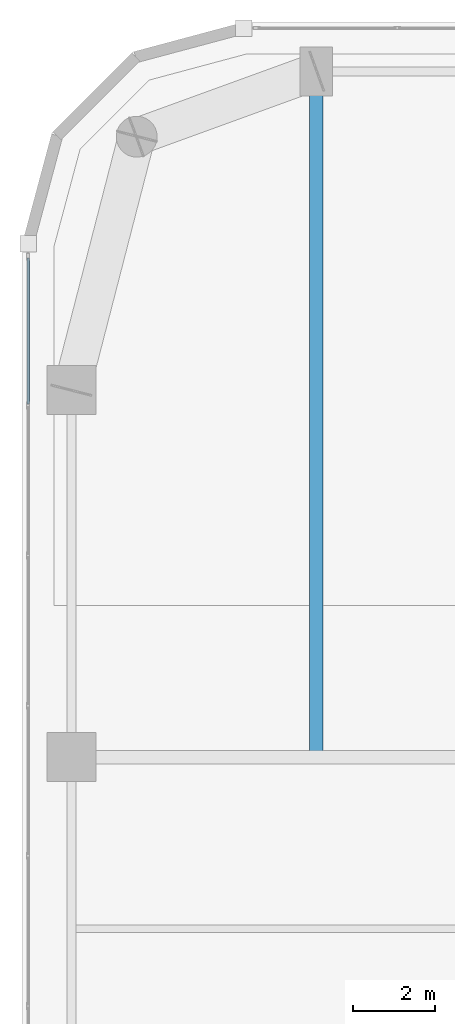
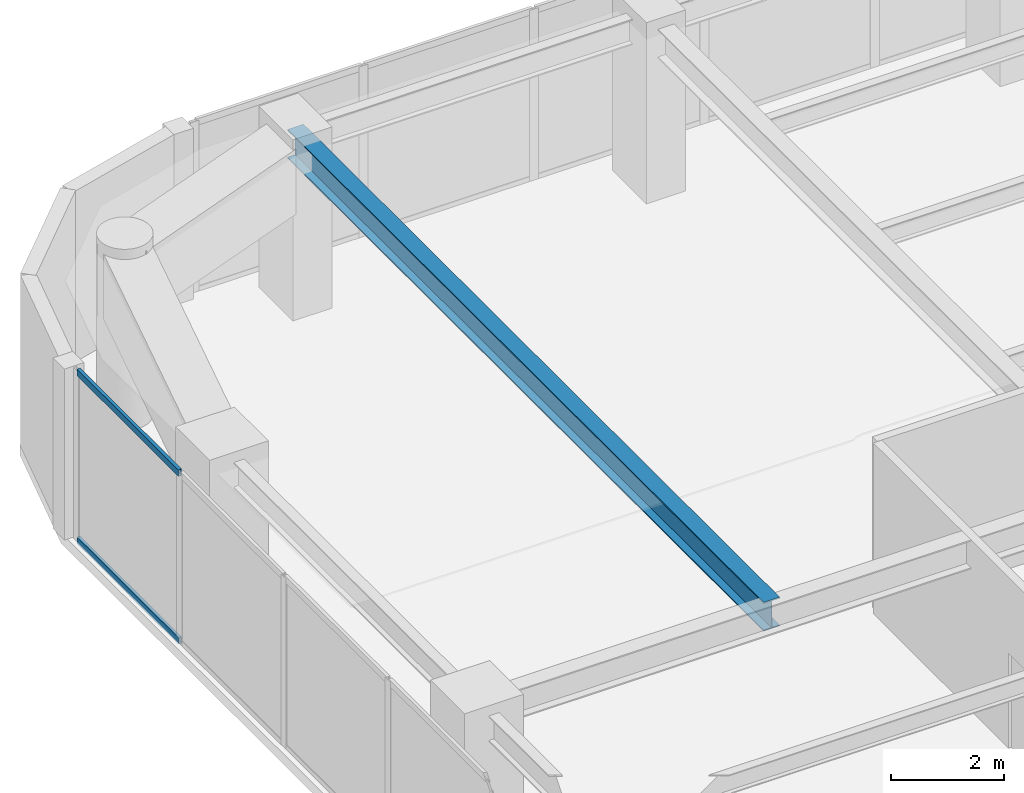
# One storey, part 14 of 30: 2 members, 1 beam, 1 element without a shape of its own.
"""IFC4 building model written with IfcOpenShell, lengths in metres."""

from ifc_helpers import new_model, si_unit, direction, frame, origin, origin_2d, place, context, subcontext, project, spatial, hollow_rectangle, i_section, extrude, material, layer, layer_set, material_profile, profile_set, type_object, element, aggregate, save


model = new_model("IFC4")

# Units and contexts
model_context = context("Model", 3, precision=1e-05, world=origin(), true_north=direction((0.0, 1.0)))
body_context = subcontext(model_context, "Body", "Model", "MODEL_VIEW")
ifc_project = project(units=[si_unit("LENGTHUNIT", "METRE"), si_unit("AREAUNIT", "SQUARE_METRE"), si_unit("VOLUMEUNIT", "CUBIC_METRE"), si_unit("PLANEANGLEUNIT", "RADIAN"), si_unit("MASSUNIT", "GRAM", prefix="KILO")], contexts=[model_context])

# Site, building, storey
site_placement = place(None, origin())
site = spatial("IfcSite", under=ifc_project, at=site_placement, CompositionType="ELEMENT")
building_placement = place(site_placement, origin())
building = spatial("IfcBuilding", under=site, at=building_placement, Name="Kiyonajd Concourse Tower", CompositionType="ELEMENT")
storey_placement = place(building_placement, frame((0.0, 0.0, 194.10009765625)))
storey = spatial("IfcBuildingStorey", under=building, at=storey_placement, Name="L49", CompositionType="ELEMENT", Elevation=194.10009765625)

# Beam
ifc_material_1 = material(Name="Steel ASTM A992 Grade 50", Category="steel")
ifc_material_profile_1 = material_profile(ifc_material_1, i_section(OverallWidth=0.326904296875, OverallDepth=0.6220703125, WebThickness=0.015380859375, FlangeThickness=0.0244140625, at=origin_2d()), Name="W610X195")
ifc_profile_set_1 = profile_set([ifc_material_profile_1], Name="Steel ASTM A992 Grade 50")
beam_type = type_object("IfcBeamType", Name="BM-TWR-610A", PredefinedType="BEAM", material=ifc_profile_set_1)
beam_placement = place(storey_placement, frame((25.199951171875, 44.39990234375, 3.368896484375), z_axis=(0.0, 1.0, 0.0), x_axis=(-1.0, 0.0, 0.0)))
element("IfcBeam", 1, at=beam_placement, inside=storey, type_object=beam_type, Name="L49 North Lease Girder", PredefinedType="BEAM", context=body_context, shape_type="SweptSolid", body=[
    extrude(i_section(OverallWidth=0.326904296875, OverallDepth=0.6220703125, WebThickness=0.015380859375, FlangeThickness=0.0244140625, at=origin_2d()), origin(), (0.0, 0.0, 1.0), 16.800048828125),
])

# Curtain wall, members
ifc_material_2 = material(Name="Thermally Broken Anodised Aluminium", Category="aluminium")
ifc_layer = layer(ifc_material_2, 0.179931640625)
ifc_layer_set = layer_set([ifc_layer], Name="Thermally Broken Anodised Aluminium")
curtain_wall_type = type_object("IfcCurtainWallType", Name="CW-SYS-03", PredefinedType="NOTDEFINED", material=ifc_layer_set)
curtain_wall_placement = place(storey_placement, origin())
curtain_wall = element("IfcCurtainWall", 2, at=curtain_wall_placement, inside=storey, type_object=curtain_wall_type, Name="L49 Unitised Curtain Wall CW3", PredefinedType="NOTDEFINED")
ifc_material_profile_2 = material_profile(ifc_material_2, hollow_rectangle(XDim=0.06494140625, YDim=0.139892578125, WallThickness=0.00390625, at=origin_2d()), Name="TRAN-65x140")
ifc_profile_set_2 = profile_set([ifc_material_profile_2], Name="Thermally Broken Anodised Aluminium")
member_type = type_object("IfcMemberType", Name="MB-CW-TRAN1", PredefinedType="USERDEFINED", material=ifc_profile_set_2)
member_1_placement = place(storey_placement, frame((18.139892578125, 53.047119140625, 0.032470703125), z_axis=(0.0, 1.0, 0.0), x_axis=(-1.0, 0.0, 0.0)))
member_1 = element("IfcMember", 3, at=member_1_placement, type_object=member_type, Name="CW3 transom 6.1", ObjectType="TRANSOM", PredefinedType="USERDEFINED", context=body_context, shape_type="SweptSolid", body=[
    extrude(hollow_rectangle(XDim=0.06494140625, YDim=0.139892578125, WallThickness=0.00390625, at=origin_2d()), origin(), (0.0, 0.0, 1.0), 3.57958984375),
])
member_2_placement = place(storey_placement, frame((18.139892578125, 53.047119140625, 3.6474609375), z_axis=(0.0, 1.0, 0.0), x_axis=(-1.0, 0.0, 0.0)))
member_2 = element("IfcMember", 4, at=member_2_placement, type_object=member_type, Name="CW3 transom 6.2", ObjectType="TRANSOM", PredefinedType="USERDEFINED", context=body_context, shape_type="SweptSolid", body=[
    extrude(hollow_rectangle(XDim=0.06494140625, YDim=0.139892578125, WallThickness=0.00390625, at=origin_2d()), origin(), (0.0, 0.0, 1.0), 3.57958984375),
])
aggregate(curtain_wall, [member_1, member_2])

save(model, "model.ifc")
